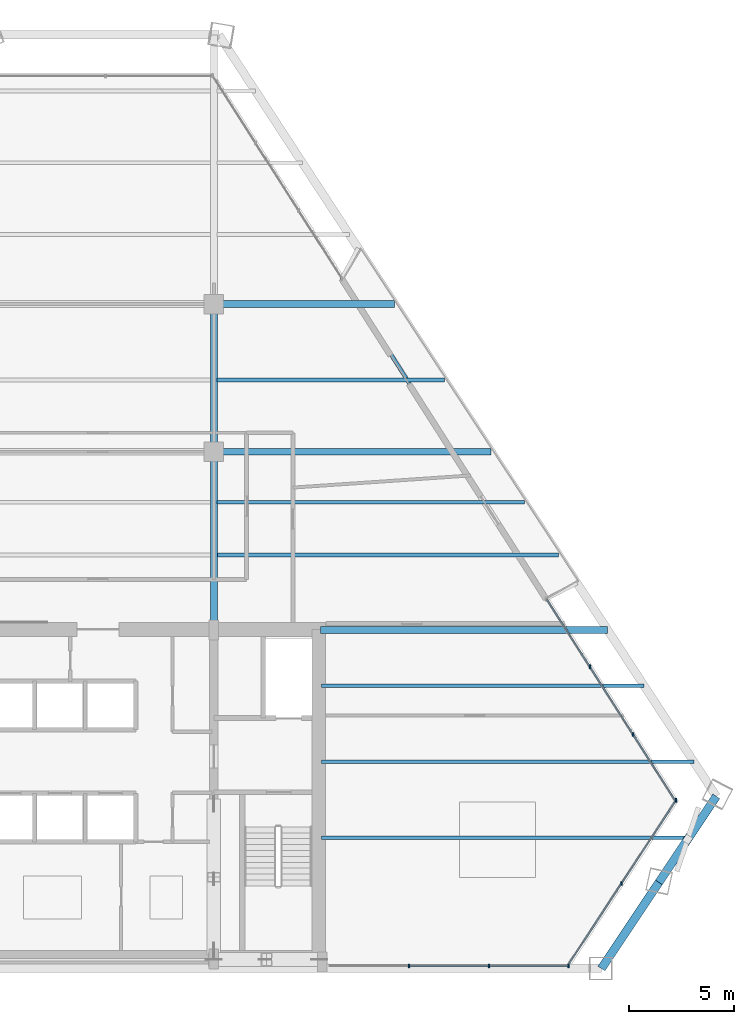
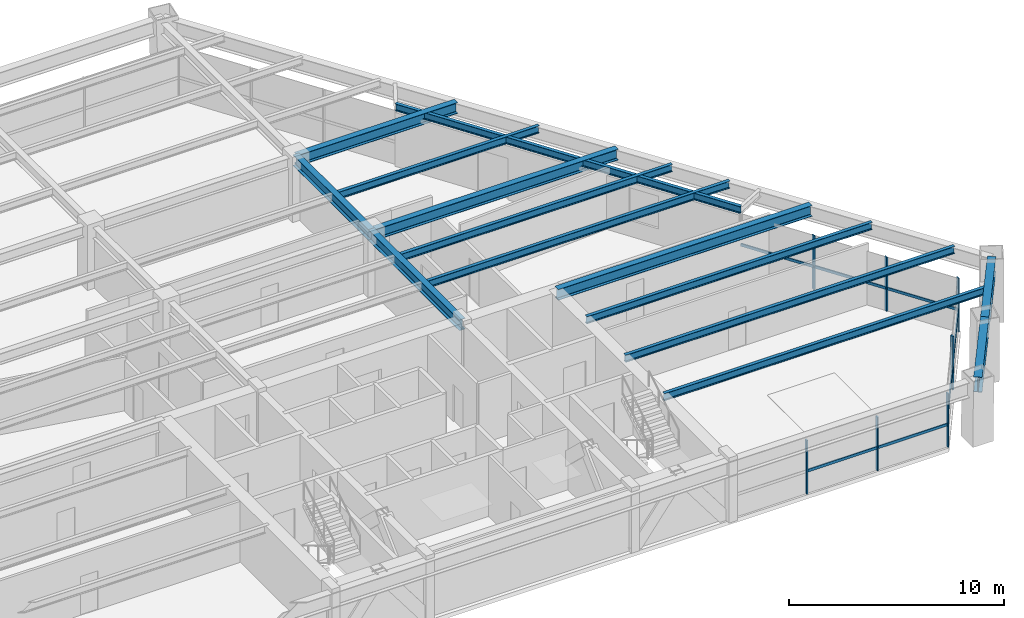
# One storey, part 6 of 14: 14 beams, 14 members, 3 elements without a shape of their own.
"""IFC4 building model written with IfcOpenShell, lengths in metres."""

import ifcopenshell
import ifcopenshell.guid

model = None  # the IFC model being written
_history = None  # IfcOwnerHistory: only IFC2X3 demands one
_inside = {}  # id of a spatial element -> (the spatial element, [elements in it])
_under = {}  # id of a project, library or spatial element -> (it, [spatial elements below it])
_declared = {}  # id of a project -> (the project, [libraries it declares])
_typed = {}  # id of a type object -> (the type object, [elements of that type])
_made_of = {}  # id of a material, layer set ... -> (it, [elements and type objects made of it])


def new_model(schema):
    """Start an empty IFC model of exactly this schema.

    Asked for "IFC4X3", IfcOpenShell would pick the latest addendum, in which some entities
    have other attributes; the version numbers below select the first issue.
    IFC2X3 requires an IfcOwnerHistory on every rooted entity: one is made here for all.
    """
    global model, _history
    if schema == "IFC4X3":
        model = ifcopenshell.file(schema_version=(4, 3, 0, 0))
    else:
        model = ifcopenshell.file(schema=schema)
    _inside.clear()
    _under.clear()
    _declared.clear()
    _typed.clear()
    _made_of.clear()
    _history = None
    if model.schema == "IFC2X3":
        org = make("IfcOrganization", Name="unknown")
        user = make(
            "IfcPersonAndOrganization",
            ThePerson=make("IfcPerson", FamilyName="unknown"),
            TheOrganization=org,
        )
        app = make(
            "IfcApplication",
            ApplicationDeveloper=org,
            Version="unknown",
            ApplicationFullName="unknown",
            ApplicationIdentifier="unknown",
        )
        _history = make(
            "IfcOwnerHistory",
            OwningUser=user,
            OwningApplication=app,
            ChangeAction="ADDED",
            CreationDate=0,
        )
    return model


def make(cls, **values):
    """One entity of the class cls with the attributes given. An attribute that is None is left unset."""
    return model.create_entity(
        cls, **{name: value for name, value in values.items() if value is not None}
    )


def rooted(cls, **values):
    """An entity with a GlobalId (a new one), such as an element, a storey or a relation."""
    return make(cls, GlobalId=ifcopenshell.guid.new(), OwnerHistory=_history, **values)


def si_unit(unit_type, name, prefix=None):
    """IfcSIUnit, for example si_unit("LENGTHUNIT", "METRE", prefix="MILLI")."""
    return make("IfcSIUnit", UnitType=unit_type, Prefix=prefix, Name=name)


def assignment(units):
    """IfcUnitAssignment: the units of a project."""
    return None if units is None else make("IfcUnitAssignment", Units=units)


def point(xyz):
    """IfcCartesianPoint."""
    return None if xyz is None else make("IfcCartesianPoint", Coordinates=xyz)


def direction(xyz):
    """IfcDirection."""
    return None if xyz is None else make("IfcDirection", DirectionRatios=xyz)


def frame(location, z_axis=None, x_axis=None):
    """IfcAxis2Placement3D, a coordinate frame: its origin and axes. An axis left out is left unset."""
    return make(
        "IfcAxis2Placement3D",
        Location=point(location),
        Axis=direction(z_axis),
        RefDirection=direction(x_axis),
    )


def frame_2d(location, x_axis=None):
    """IfcAxis2Placement2D, a coordinate frame in the plane: its origin and x axis."""
    return make(
        "IfcAxis2Placement2D", Location=point(location), RefDirection=direction(x_axis)
    )


def origin():
    """The frame at (0, 0, 0) with its axes left unset."""
    return frame((0.0, 0.0, 0.0))


def origin_2d():
    """The frame at (0, 0) in the plane with its x axis left unset."""
    return frame_2d((0.0, 0.0))


def place(relative_to, where):
    """IfcLocalPlacement: puts the frame where relative to a parent placement (None: the world)."""
    return make(
        "IfcLocalPlacement", PlacementRelTo=relative_to, RelativePlacement=where
    )


def context(
    kind, dimensions, precision=None, world=None, true_north=None, identifier=None
):
    """IfcGeometricRepresentationContext, for example the 3D "Model" context."""
    return make(
        "IfcGeometricRepresentationContext",
        ContextIdentifier=identifier,
        ContextType=kind,
        CoordinateSpaceDimension=dimensions,
        Precision=precision,
        WorldCoordinateSystem=world,
        TrueNorth=true_north,
    )


def subcontext(parent, identifier, kind, view, scale=None):
    """IfcGeometricRepresentationSubContext, for example "Body" below "Model"."""
    return make(
        "IfcGeometricRepresentationSubContext",
        ContextIdentifier=identifier,
        ContextType=kind,
        ParentContext=parent,
        TargetScale=scale,
        TargetView=view,
    )


def project(units=None, contexts=None):
    """IfcProject with its units and contexts."""
    return rooted(
        "IfcProject",
        Name="project",
        RepresentationContexts=contexts,
        UnitsInContext=assignment(units),
    )


def spatial(cls, under=None, at=None, **own):
    """A site, building, storey or space (cls), placed at a placement, below another one or the project."""
    s = rooted(cls, ObjectPlacement=at, **own)
    if under is not None:
        _under.setdefault(under.id(), (under, []))[1].append(s)
    return s


def profile(cls, at=None, kind="AREA", **sizes):
    """A parametric profile (cls). Its sizes go by their IFC names, for example OverallWidth=200.0."""
    return make(cls, ProfileType=kind, Position=at, **sizes)


def rectangle(**sizes):
    """IfcRectangleProfileDef."""
    return profile("IfcRectangleProfileDef", **sizes)


def i_section(**sizes):
    """IfcIShapeProfileDef."""
    return profile("IfcIShapeProfileDef", **sizes)


def extrude(swept, where, along, depth):
    """IfcExtrudedAreaSolid: the profile swept, set in the frame where, extruded along a direction by depth."""
    return make(
        "IfcExtrudedAreaSolid",
        SweptArea=swept,
        Position=where,
        ExtrudedDirection=direction(along),
        Depth=depth,
    )


def shape(context_of_items, identifier, shape_type, items):
    """IfcShapeRepresentation: the items that make up one representation, for example the "Body"."""
    return make(
        "IfcShapeRepresentation",
        ContextOfItems=context_of_items,
        RepresentationIdentifier=identifier,
        RepresentationType=shape_type,
        Items=items,
    )


def source(mapping_origin, context_of_items, identifier, shape_type, items):
    """IfcRepresentationMap: a shape defined once, which mapped items show again and again."""
    return make(
        "IfcRepresentationMap",
        MappingOrigin=mapping_origin,
        MappedRepresentation=shape(context_of_items, identifier, shape_type, items),
    )


def transform(
    local_origin,
    x_axis=None,
    y_axis=None,
    z_axis=None,
    scale=None,
    scale2=None,
    scale3=None,
    uniform=True,
):
    """IfcCartesianTransformationOperator3D, or its non-uniform kind. x_axis, y_axis, z_axis: its Axis1, 2, 3."""
    if uniform:
        return make(
            "IfcCartesianTransformationOperator3D",
            Axis1=direction(x_axis),
            Axis2=direction(y_axis),
            LocalOrigin=point(local_origin),
            Scale=scale,
            Axis3=direction(z_axis),
        )
    return make(
        "IfcCartesianTransformationOperator3DnonUniform",
        Axis1=direction(x_axis),
        Axis2=direction(y_axis),
        LocalOrigin=point(local_origin),
        Scale=scale,
        Axis3=direction(z_axis),
        Scale2=scale2,
        Scale3=scale3,
    )


def mapped(mapping_source, mapping_target):
    """IfcMappedItem: shows the shape of a source again, moved by a transform."""
    return make(
        "IfcMappedItem", MappingSource=mapping_source, MappingTarget=mapping_target
    )


def material(Name=None, Category=None):
    """IfcMaterial."""
    return make("IfcMaterial", Name=Name, Category=Category)


def material_profile(
    of_material, cross_section, Name=None, Category=None, Priority=None
):
    """IfcMaterialProfile: a cross section and its material."""
    return make(
        "IfcMaterialProfile",
        Name=Name,
        Material=of_material,
        Profile=cross_section,
        Priority=Priority,
        Category=Category,
    )


def profile_set(profiles, Name=None, composite=None):
    """IfcMaterialProfileSet."""
    return make(
        "IfcMaterialProfileSet",
        Name=Name,
        MaterialProfiles=profiles,
        CompositeProfile=composite,
    )


def made_of(thing, what):
    """Note that an element or type object is made of a material, layer set ...; save() writes the relation."""
    if what is not None:
        _made_of.setdefault(what.id(), (what, []))[1].append(thing)
    return thing


def type_object(cls, material=None, **own):
    """A type object (cls), such as IfcWallType, which elements share."""
    return made_of(rooted(cls, **own), material)


def type_shapes(of_type, sources):
    """Give a type object the sources (RepresentationMaps) that its elements show as mapped items."""
    of_type.RepresentationMaps = sources


def element(
    cls,
    number,
    at=None,
    inside=None,
    cuts=None,
    type_object=None,
    material=None,
    context=None,
    identifier="Body",
    shape_type=None,
    held_by="IfcProductDefinitionShape",
    body=None,
    shapes=None,
    **own,
):
    """One element of the class cls, such as IfcWall. Its Tag is "e" and its number.

    at: its placement. inside: the storey or other place that contains it. cuts: it is an
    opening in that element (IfcRelVoidsElement). A single representation is given by context,
    identifier, shape_type and body (its items); several are given by shapes. held_by: the class
    of the entity that holds the representations. save() writes the other relations.
    """
    e = rooted(cls, Tag="e%d" % number, ObjectPlacement=at, **own)
    if body is not None:
        shapes = [shape(context, identifier, shape_type, body)]
    if shapes is not None:
        e.Representation = make(held_by, Representations=shapes)
    if inside is not None:
        _inside.setdefault(inside.id(), (inside, []))[1].append(e)
    if cuts is not None:
        rooted(
            "IfcRelVoidsElement", RelatingBuildingElement=cuts, RelatedOpeningElement=e
        )
    if type_object is not None:
        _typed.setdefault(type_object.id(), (type_object, []))[1].append(e)
    return made_of(e, material)


def aggregate(whole, parts):
    """IfcRelAggregates: a whole, such as a stair, and the parts it consists of."""
    return rooted("IfcRelAggregates", RelatingObject=whole, RelatedObjects=parts)


def save(model, path):
    """Write the relations noted so far, then the file.

    IfcRelAggregates (storeys below a building ...), IfcRelContainedInSpatialStructure (elements
    in a storey), IfcRelDefinesByType, IfcRelAssociatesMaterial and IfcRelDeclares: one each for
    every whole, place, type object, material and project.
    """
    for whole, parts in _under.values():
        aggregate(whole, parts)
    for where, things in _inside.values():
        rooted(
            "IfcRelContainedInSpatialStructure",
            RelatedElements=things,
            RelatingStructure=where,
        )
    for kind, things in _typed.values():
        rooted("IfcRelDefinesByType", RelatedObjects=things, RelatingType=kind)
    for what, things in _made_of.values():
        rooted("IfcRelAssociatesMaterial", RelatedObjects=things, RelatingMaterial=what)
    for by, libraries in _declared.values():
        rooted("IfcRelDeclares", RelatingContext=by, RelatedDefinitions=libraries)
    model.write(path)


model = new_model("IFC4")

# Units and contexts
model_context = context("Model", 3, precision=1e-05, world=origin(), true_north=direction((0.0, 1.0)))
body_context = subcontext(model_context, "Body", "Model", "MODEL_VIEW")
ifc_project = project(units=[si_unit("LENGTHUNIT", "METRE"), si_unit("AREAUNIT", "SQUARE_METRE"), si_unit("VOLUMEUNIT", "CUBIC_METRE"), si_unit("PLANEANGLEUNIT", "RADIAN"), si_unit("MASSUNIT", "GRAM", prefix="KILO")], contexts=[model_context])

# Site, building, storey
site_placement = place(None, origin())
site = spatial("IfcSite", under=ifc_project, at=site_placement, CompositionType="ELEMENT")
building_placement = place(site_placement, origin())
building = spatial("IfcBuilding", under=site, at=building_placement, Name="Varnakhor Terracotta Tower", CompositionType="ELEMENT")
storey_placement = place(building_placement, frame((0.0, 0.0, 133.0)))
storey = spatial("IfcBuildingStorey", under=building, at=storey_placement, Name="L33", CompositionType="ELEMENT", Elevation=133.0)

# Beams
ifc_material_1 = material(Name="Steel S355", Category="steel")
ifc_material_profile_1 = material_profile(ifc_material_1, i_section(OverallWidth=0.324951171875, OverallDepth=0.615966796875, WebThickness=0.013916015625, FlangeThickness=0.02197265625, FilletRadius=0.01806640625, at=origin_2d()), Name="W24X117")
ifc_profile_set_1 = profile_set([ifc_material_profile_1], Name="Steel S355")
beam_type_1 = type_object("IfcBeamType", Name="BM-W24X117", PredefinedType="BEAM", material=ifc_profile_set_1)
shared_shape_1 = source(origin(), body_context, "Body", "SweptSolid", [
    extrude(i_section(OverallWidth=0.324951171875, OverallDepth=0.615966796875, WebThickness=0.013916015625, FlangeThickness=0.02197265625, FilletRadius=0.01806640625, at=origin_2d()), origin(), (0.0, 0.0, 1.0), 8.449951171875),
])
type_shapes(beam_type_1, [shared_shape_1])
beam_1_placement = place(storey_placement, frame((5.5, 16.050048828125, 3.162109375), z_axis=(0.0, 1.0, 0.0), x_axis=(-1.0, 0.0, 0.0)))
element("IfcBeam", 1, at=beam_1_placement, inside=storey, type_object=beam_type_1, Name="L33 Primary Girder NS1-E", PredefinedType="BEAM", context=body_context, shape_type="MappedRepresentation", body=[
    mapped(shared_shape_1, transform((0.0, 0.0, 0.0), scale=1.0)),
])
shared_shape_2 = source(origin(), body_context, "Body", "SweptSolid", [
    extrude(i_section(OverallWidth=0.324951171875, OverallDepth=0.615966796875, WebThickness=0.013916015625, FlangeThickness=0.02197265625, FilletRadius=0.01806640625, at=origin_2d()), origin(), (0.0, 0.0, 1.0), 7.0),
])
beam_2_placement = place(storey_placement, frame((5.5, 24.5, 3.162109375), z_axis=(0.0, 1.0, 0.0), x_axis=(-1.0, 0.0, 0.0)))
element("IfcBeam", 2, at=beam_2_placement, inside=storey, type_object=beam_type_1, Name="L33 Primary Girder NS2-E", PredefinedType="BEAM", context=body_context, shape_type="MappedRepresentation", body=[
    mapped(shared_shape_2, transform((0.0, 0.0, 0.0), scale=1.0)),
])
ifc_material_profile_2 = material_profile(ifc_material_1, i_section(OverallWidth=0.39990234375, OverallDepth=0.85498046875, WebThickness=0.01806640625, FlangeThickness=0.029052734375, FilletRadius=0.01806640625, at=origin_2d()), Name="W33X201")
ifc_profile_set_2 = profile_set([ifc_material_profile_2], Name="Steel S355")
beam_type_2 = type_object("IfcBeamType", Name="BM-W33X201", PredefinedType="BEAM", material=ifc_profile_set_2)
shared_shape_3 = source(origin(), body_context, "Body", "SweptSolid", [
    extrude(i_section(OverallWidth=0.39990234375, OverallDepth=0.85498046875, WebThickness=0.01806640625, FlangeThickness=0.029052734375, FilletRadius=0.01806640625, at=origin_2d()), origin(), (0.0, 0.0, 1.0), 4.906005859375),
])
beam_3_placement = place(storey_placement, frame((23.879638671875, 0.0, 3.04248046875), z_axis=(0.555515293538, 0.831506319065, 0.0), x_axis=(-0.831506319065, 0.555515293538, 0.0)))
element("IfcBeam", 3, at=beam_3_placement, inside=storey, type_object=beam_type_2, Name="L33 Perimeter Spandrel 2", PredefinedType="BEAM", context=body_context, shape_type="MappedRepresentation", body=[
    mapped(shared_shape_3, transform((0.0, 0.0, 0.0), scale=1.0)),
])
shared_shape_4 = source(origin(), body_context, "Body", "SweptSolid", [
    extrude(i_section(OverallWidth=0.39990234375, OverallDepth=0.85498046875, WebThickness=0.01806640625, FlangeThickness=0.029052734375, FilletRadius=0.01806640625, at=origin_2d()), origin(), (0.0, 0.0, 1.0), 4.90625),
])
beam_4_placement = place(storey_placement, frame((26.60498046875, 4.079345703125, 3.04248046875), z_axis=(0.555492307575, 0.831521675139, 0.0), x_axis=(-0.831521675139, 0.555492307575, 0.0)))
element("IfcBeam", 4, at=beam_4_placement, inside=storey, type_object=beam_type_2, Name="L33 Perimeter Spandrel 3", PredefinedType="BEAM", context=body_context, shape_type="MappedRepresentation", body=[
    mapped(shared_shape_4, transform((0.0, 0.0, 0.0), scale=1.0)),
])
ifc_material_profile_3 = material_profile(ifc_material_1, i_section(OverallWidth=0.179931640625, OverallDepth=0.39990234375, WebThickness=0.008544921875, FlangeThickness=0.013427734375, FilletRadius=0.01806640625, at=origin_2d()), Name="IPE400")
ifc_profile_set_3 = profile_set([ifc_material_profile_3], Name="Steel S355")
beam_type_3 = type_object("IfcBeamType", Name="JST-IPE400", PredefinedType="JOIST", material=ifc_profile_set_3)
shared_shape_5 = source(origin(), body_context, "Body", "SweptSolid", [
    extrude(i_section(OverallWidth=0.179931640625, OverallDepth=0.39990234375, WebThickness=0.008544921875, FlangeThickness=0.013427734375, FilletRadius=0.01806640625, at=origin_2d()), origin(), (0.0, 0.0, 1.0), 18.070068359375),
])
beam_5_placement = place(storey_placement, frame((21.289794921875, 17.520263671875, 3.27001953125), z_axis=(-0.537658563867, 0.843162658507, 0.0), x_axis=(-0.843162658507, -0.537658563867, 0.0)))
element("IfcBeam", 5, at=beam_5_placement, inside=storey, type_object=beam_type_3, Name="L33 Loggia Edge Beam 1", PredefinedType="JOIST", context=body_context, shape_type="MappedRepresentation", body=[
    mapped(shared_shape_5, transform((0.0, 0.0, 0.0), scale=1.0)),
])
shared_shape_6 = source(origin(), body_context, "Body", "SweptSolid", [
    extrude(i_section(OverallWidth=0.324951171875, OverallDepth=0.615966796875, WebThickness=0.013916015625, FlangeThickness=0.02197265625, FilletRadius=0.01806640625, at=origin_2d()), origin(), (0.0, 0.0, 1.0), 13.623779296875),
])
beam_6_placement = place(storey_placement, frame((10.550048828125, 16.050048828125, 3.162109375), z_axis=(1.0, 0.0, 0.0), x_axis=(0.0, 1.0, 0.0)))
element("IfcBeam", 6, at=beam_6_placement, inside=storey, type_object=beam_type_1, Name="L33 Wing Girder E", PredefinedType="BEAM", context=body_context, shape_type="MappedRepresentation", body=[
    mapped(shared_shape_6, transform((0.0, 0.0, 0.0), scale=1.0)),
])
shared_shape_7 = source(origin(), body_context, "Body", "SweptSolid", [
    extrude(i_section(OverallWidth=0.324951171875, OverallDepth=0.615966796875, WebThickness=0.013916015625, FlangeThickness=0.02197265625, FilletRadius=0.01806640625, at=origin_2d()), origin(), (0.0, 0.0, 1.0), 13.15185546875),
])
beam_7_placement = place(storey_placement, frame((5.5, 24.5, 3.162109375), z_axis=(1.0, 0.0, 0.0), x_axis=(0.0, 1.0, 0.0)))
element("IfcBeam", 7, at=beam_7_placement, inside=storey, type_object=beam_type_1, Name="L33 Primary Girder EW2-3", PredefinedType="BEAM", context=body_context, shape_type="MappedRepresentation", body=[
    mapped(shared_shape_7, transform((0.0, 0.0, 0.0), scale=1.0)),
])
shared_shape_8 = source(origin(), body_context, "Body", "SweptSolid", [
    extrude(i_section(OverallWidth=0.324951171875, OverallDepth=0.615966796875, WebThickness=0.013916015625, FlangeThickness=0.02197265625, FilletRadius=0.01806640625, at=origin_2d()), origin(), (0.0, 0.0, 1.0), 8.57763671875),
])
beam_8_placement = place(storey_placement, frame((5.5, 31.5, 3.162109375), z_axis=(1.0, 0.0, 0.0), x_axis=(0.0, 1.0, 0.0)))
element("IfcBeam", 8, at=beam_8_placement, inside=storey, type_object=beam_type_1, Name="L33 Primary Girder EW3-3", PredefinedType="BEAM", context=body_context, shape_type="MappedRepresentation", body=[
    mapped(shared_shape_8, transform((0.0, 0.0, 0.0), scale=1.0)),
])
ifc_material_profile_4 = material_profile(ifc_material_1, i_section(OverallWidth=0.179931640625, OverallDepth=0.4130859375, WebThickness=0.009765625, FlangeThickness=0.01611328125, FilletRadius=0.01806640625, at=origin_2d()), Name="W16X50")
ifc_profile_set_4 = profile_set([ifc_material_profile_4], Name="Steel S355")
beam_type_4 = type_object("IfcBeamType", Name="JST-W16X50", PredefinedType="JOIST", material=ifc_profile_set_4)
shared_shape_9 = source(origin(), body_context, "Body", "SweptSolid", [
    extrude(i_section(OverallWidth=0.179931640625, OverallDepth=0.4130859375, WebThickness=0.009765625, FlangeThickness=0.01611328125, FilletRadius=0.01806640625, at=origin_2d()), origin(), (0.0, 0.0, 1.0), 17.421630859375),
])
beam_9_placement = place(storey_placement, frame((10.60009765625, 6.199951171875, 3.263427734375), z_axis=(1.0, 0.0, 0.0), x_axis=(0.0, 1.0, 0.0)))
element("IfcBeam", 9, at=beam_9_placement, inside=storey, type_object=beam_type_4, Name="L33 Floor Joist E1", PredefinedType="JOIST", context=body_context, shape_type="MappedRepresentation", body=[
    mapped(shared_shape_9, transform((0.0, 0.0, 0.0), scale=1.0)),
])
shared_shape_10 = source(origin(), body_context, "Body", "SweptSolid", [
    extrude(i_section(OverallWidth=0.179931640625, OverallDepth=0.4130859375, WebThickness=0.009765625, FlangeThickness=0.01611328125, FilletRadius=0.01806640625, at=origin_2d()), origin(), (0.0, 0.0, 1.0), 17.657958984375),
])
beam_10_placement = place(storey_placement, frame((10.60009765625, 9.800048828125, 3.263427734375), z_axis=(1.0, 0.0, 0.0), x_axis=(0.0, 1.0, 0.0)))
element("IfcBeam", 10, at=beam_10_placement, inside=storey, type_object=beam_type_4, Name="L33 Floor Joist E2", PredefinedType="JOIST", context=body_context, shape_type="MappedRepresentation", body=[
    mapped(shared_shape_10, transform((0.0, 0.0, 0.0), scale=1.0)),
])
shared_shape_11 = source(origin(), body_context, "Body", "SweptSolid", [
    extrude(i_section(OverallWidth=0.179931640625, OverallDepth=0.4130859375, WebThickness=0.009765625, FlangeThickness=0.01611328125, FilletRadius=0.01806640625, at=origin_2d()), origin(), (0.0, 0.0, 1.0), 15.305419921875),
])
beam_11_placement = place(storey_placement, frame((10.60009765625, 13.39990234375, 3.263427734375), z_axis=(1.0, 0.0, 0.0), x_axis=(0.0, 1.0, 0.0)))
element("IfcBeam", 11, at=beam_11_placement, inside=storey, type_object=beam_type_4, Name="L33 Floor Joist E3", PredefinedType="JOIST", context=body_context, shape_type="MappedRepresentation", body=[
    mapped(shared_shape_11, transform((0.0, 0.0, 0.0), scale=1.0)),
])
shared_shape_12 = source(origin(), body_context, "Body", "SweptSolid", [
    extrude(i_section(OverallWidth=0.179931640625, OverallDepth=0.4130859375, WebThickness=0.009765625, FlangeThickness=0.01611328125, FilletRadius=0.01806640625, at=origin_2d()), origin(), (0.0, 0.0, 1.0), 16.195556640625),
])
beam_12_placement = place(storey_placement, frame((5.658447265625, 19.60009765625, 3.263427734375), z_axis=(1.0, 0.0, 0.0), x_axis=(0.0, 1.0, 0.0)))
element("IfcBeam", 12, at=beam_12_placement, inside=storey, type_object=beam_type_4, Name="L33 Composite Floor Joist 4-3", PredefinedType="JOIST", context=body_context, shape_type="MappedRepresentation", body=[
    mapped(shared_shape_12, transform((0.0, 0.0, 0.0), scale=1.0)),
])
shared_shape_13 = source(origin(), body_context, "Body", "SweptSolid", [
    extrude(i_section(OverallWidth=0.179931640625, OverallDepth=0.4130859375, WebThickness=0.009765625, FlangeThickness=0.01611328125, FilletRadius=0.01806640625, at=origin_2d()), origin(), (0.0, 0.0, 1.0), 14.561767578125),
])
beam_13_placement = place(storey_placement, frame((5.658447265625, 22.10009765625, 3.263427734375), z_axis=(1.0, 0.0, 0.0), x_axis=(0.0, 1.0, 0.0)))
element("IfcBeam", 13, at=beam_13_placement, inside=storey, type_object=beam_type_4, Name="L33 Composite Floor Joist 5-3", PredefinedType="JOIST", context=body_context, shape_type="MappedRepresentation", body=[
    mapped(shared_shape_13, transform((0.0, 0.0, 0.0), scale=1.0)),
])
shared_shape_14 = source(origin(), body_context, "Body", "SweptSolid", [
    extrude(i_section(OverallWidth=0.179931640625, OverallDepth=0.4130859375, WebThickness=0.009765625, FlangeThickness=0.01611328125, FilletRadius=0.01806640625, at=origin_2d()), origin(), (0.0, 0.0, 1.0), 10.771728515625),
])
beam_14_placement = place(storey_placement, frame((5.658447265625, 27.89990234375, 3.263427734375), z_axis=(1.0, 0.0, 0.0), x_axis=(0.0, 1.0, 0.0)))
element("IfcBeam", 14, at=beam_14_placement, inside=storey, type_object=beam_type_4, Name="L33 Composite Floor Joist 6-3", PredefinedType="JOIST", context=body_context, shape_type="MappedRepresentation", body=[
    mapped(shared_shape_14, transform((0.0, 0.0, 0.0), scale=1.0)),
])

# Curtain wall, members
ifc_material_2 = material(Name="Anodised Aluminium Curtain Wall System", Category="aluminium")
curtain_wall_type = type_object("IfcCurtainWallType", Name="CW-SYS-MID-OFFICE", PredefinedType="NOTDEFINED", material=ifc_material_2)
curtain_wall_1_placement = place(storey_placement, origin())
curtain_wall_1 = element("IfcCurtainWall", 15, at=curtain_wall_1_placement, inside=storey, type_object=curtain_wall_type, Name="L33 E Facet Curtain Wall 2", PredefinedType="NOTDEFINED")
ifc_material_3 = material(Name="Anodised Aluminium 6063-T6", Category="aluminium")
ifc_material_profile_5 = material_profile(ifc_material_3, rectangle(XDim=0.070068359375, YDim=0.175048828125, at=origin_2d()), Name="ALU MULLION 70x175")
ifc_profile_set_5 = profile_set([ifc_material_profile_5], Name="Anodised Aluminium 6063-T6")
member_type_1 = type_object("IfcMemberType", Name="CWM-03", PredefinedType="MULLION", material=ifc_profile_set_5)
shared_shape_15 = source(origin(), body_context, "Body", "SweptSolid", [
    extrude(rectangle(XDim=0.070068359375, YDim=0.175048828125, at=origin_2d()), origin(), (0.0, 0.0, 1.0), 3.050048828125),
])
member_1_placement = place(storey_placement, frame((23.330078125, 14.301513671875, 0.0), z_axis=(0.0, 0.0, 1.0), x_axis=(1.0, 0.0, 0.0)))
member_1 = element("IfcMember", 16, at=member_1_placement, type_object=member_type_1, Name="L33 E Facet Curtain Wall 2 Mullion 2", PredefinedType="MULLION", context=body_context, shape_type="MappedRepresentation", body=[
    mapped(shared_shape_15, transform((0.0, 0.0, 0.0), scale=1.0)),
])
member_2_placement = place(storey_placement, frame((25.3740234375, 11.098388671875, 0.0), z_axis=(0.0, 0.0, 1.0), x_axis=(1.0, 0.0, 0.0)))
member_2 = element("IfcMember", 17, at=member_2_placement, type_object=member_type_1, Name="L33 E Facet Curtain Wall 2 Mullion 3", PredefinedType="MULLION", context=body_context, shape_type="MappedRepresentation", body=[
    mapped(shared_shape_15, transform((0.0, 0.0, 0.0), scale=1.0)),
])

curtain_wall_2_placement = place(storey_placement, origin())
curtain_wall_2 = element("IfcCurtainWall", 18, at=curtain_wall_2_placement, inside=storey, type_object=curtain_wall_type, Name="L33 Facet Curtain Wall 4", PredefinedType="NOTDEFINED")
member_3_placement = place(storey_placement, frame((27.418701171875, 7.97509765625, 0.0), z_axis=(0.0, 0.0, 1.0), x_axis=(1.0, 0.0, 0.0)))
member_3 = element("IfcMember", 19, at=member_3_placement, type_object=member_type_1, Name="L33 Facet Curtain Wall 4 Mullion 1", PredefinedType="MULLION", context=body_context, shape_type="MappedRepresentation", body=[
    mapped(shared_shape_15, transform((0.0, 0.0, 0.0), scale=1.0)),
])
member_4_placement = place(storey_placement, frame((24.83642578125, 4.032958984375, 0.0), z_axis=(0.0, 0.0, 1.0), x_axis=(1.0, 0.0, 0.0)))
member_4 = element("IfcMember", 20, at=member_4_placement, type_object=member_type_1, Name="L33 Facet Curtain Wall 4 Mullion 2", PredefinedType="MULLION", context=body_context, shape_type="MappedRepresentation", body=[
    mapped(shared_shape_15, transform((0.0, 0.0, 0.0), scale=1.0)),
])

curtain_wall_3_placement = place(storey_placement, origin())
curtain_wall_3 = element("IfcCurtainWall", 21, at=curtain_wall_3_placement, inside=storey, type_object=curtain_wall_type, Name="L33 South Wing Curtain Wall SSE", PredefinedType="NOTDEFINED")
member_5_placement = place(storey_placement, frame((22.327880859375, 0.1201171875, 0.0), z_axis=(0.0, 0.0, 1.0), x_axis=(1.0, 0.0, 0.0)))
member_5 = element("IfcMember", 22, at=member_5_placement, type_object=member_type_1, Name="L33 South Wing Curtain Wall SSE Mullion 1", PredefinedType="MULLION", context=body_context, shape_type="MappedRepresentation", body=[
    mapped(shared_shape_15, transform((0.0, 0.0, 0.0), scale=1.0)),
])
member_6_placement = place(storey_placement, frame((18.5419921875, 0.1201171875, 0.0), z_axis=(0.0, 0.0, 1.0), x_axis=(1.0, 0.0, 0.0)))
member_6 = element("IfcMember", 23, at=member_6_placement, type_object=member_type_1, Name="L33 South Wing Curtain Wall SSE Mullion 2", PredefinedType="MULLION", context=body_context, shape_type="MappedRepresentation", body=[
    mapped(shared_shape_15, transform((0.0, 0.0, 0.0), scale=1.0)),
])
member_7_placement = place(storey_placement, frame((14.756103515625, 0.1201171875, 0.0), z_axis=(0.0, 0.0, 1.0), x_axis=(1.0, 0.0, 0.0)))
member_7 = element("IfcMember", 24, at=member_7_placement, type_object=member_type_1, Name="L33 South Wing Curtain Wall SSE Mullion 3", PredefinedType="MULLION", context=body_context, shape_type="MappedRepresentation", body=[
    mapped(shared_shape_15, transform((0.0, 0.0, 0.0), scale=1.0)),
])

# Member
ifc_material_profile_6 = material_profile(ifc_material_3, rectangle(XDim=0.070068359375, YDim=0.155029296875, at=origin_2d()), Name="ALU TRANSOM 70x155")
ifc_profile_set_6 = profile_set([ifc_material_profile_6], Name="Anodised Aluminium 6063-T6")
member_type_2 = type_object("IfcMemberType", Name="CWT-03", PredefinedType="USERDEFINED", material=ifc_profile_set_6)
shared_shape_16 = source(origin(), body_context, "Body", "SweptSolid", [
    extrude(rectangle(XDim=0.070068359375, YDim=0.155029296875, at=origin_2d()), origin(), (0.0, 0.0, 1.0), 3.800048828125),
])
member_8_placement = place(storey_placement, frame((25.3740234375, 11.098388671875, 1.281005859375), z_axis=(0.537939296051, -0.842983578585, 0.0), x_axis=(0.842983578585, 0.537939296051, 0.0)))
member_8 = element("IfcMember", 25, at=member_8_placement, type_object=member_type_2, Name="L33 E Facet Curtain Wall 2 Transom 3", ObjectType="TRANSOM", PredefinedType="USERDEFINED", context=body_context, shape_type="MappedRepresentation", body=[
    mapped(shared_shape_16, transform((0.0, 0.0, 0.0), scale=1.0)),
])

shared_shape_17 = source(origin(), body_context, "Body", "SweptSolid", [
    extrude(rectangle(XDim=0.070068359375, YDim=0.155029296875, at=origin_2d()), origin(), (0.0, 0.0, 1.0), 3.7998046875),
])
member_9_placement = place(storey_placement, frame((23.330078125, 14.301513671875, 1.281005859375), z_axis=(0.537922773564, -0.842994121973, 0.0), x_axis=(0.842994121973, 0.537922773564, 0.0)))
member_9 = element("IfcMember", 26, at=member_9_placement, type_object=member_type_2, Name="L33 E Facet Curtain Wall 2 Transom 2", ObjectType="TRANSOM", PredefinedType="USERDEFINED", context=body_context, shape_type="MappedRepresentation", body=[
    mapped(shared_shape_17, transform((0.0, 0.0, 0.0), scale=1.0)),
])

shared_shape_18 = source(origin(), body_context, "Body", "SweptSolid", [
    extrude(rectangle(XDim=0.070068359375, YDim=0.155029296875, at=origin_2d()), origin(), (0.0, 0.0, 1.0), 3.799560546875),
])
member_10_placement = place(storey_placement, frame((21.285888671875, 17.50439453125, 1.281005859375), z_axis=(0.537997569675, -0.842946389175, 0.0), x_axis=(0.842946389175, 0.537997569675, 0.0)))
member_10 = element("IfcMember", 27, at=member_10_placement, type_object=member_type_2, Name="L33 E Facet Curtain Wall 2 Transom 1", ObjectType="TRANSOM", PredefinedType="USERDEFINED", context=body_context, shape_type="MappedRepresentation", body=[
    mapped(shared_shape_18, transform((0.0, 0.0, 0.0), scale=1.0)),
])

aggregate(curtain_wall_1, [member_10, member_1, member_9, member_2, member_8])

shared_shape_19 = source(origin(), body_context, "Body", "SweptSolid", [
    extrude(rectangle(XDim=0.070068359375, YDim=0.155029296875, at=origin_2d()), origin(), (0.0, 0.0, 1.0), 4.712646484375),
])
member_11_placement = place(storey_placement, frame((27.418701171875, 7.97509765625, 1.281005859375), z_axis=(-0.547951261507, -0.836510259956, 0.0), x_axis=(0.836510259956, -0.547951261507, 0.0)))
member_11 = element("IfcMember", 28, at=member_11_placement, type_object=member_type_2, Name="L33 Facet Curtain Wall 4 Transom 1", ObjectType="TRANSOM", PredefinedType="USERDEFINED", context=body_context, shape_type="MappedRepresentation", body=[
    mapped(shared_shape_19, transform((0.0, 0.0, 0.0), scale=1.0)),
])

member_12_placement = place(storey_placement, frame((24.83642578125, 4.032958984375, 1.281005859375), z_axis=(-0.547951261507, -0.836510259956, 0.0), x_axis=(0.836510259956, -0.547951261507, 0.0)))
member_12 = element("IfcMember", 29, at=member_12_placement, type_object=member_type_2, Name="L33 Facet Curtain Wall 4 Transom 2", ObjectType="TRANSOM", PredefinedType="USERDEFINED", context=body_context, shape_type="MappedRepresentation", body=[
    mapped(shared_shape_19, transform((0.0, 0.0, 0.0), scale=1.0)),
])

aggregate(curtain_wall_2, [member_3, member_11, member_4, member_12])

shared_shape_20 = source(origin(), body_context, "Body", "SweptSolid", [
    extrude(rectangle(XDim=0.070068359375, YDim=0.155029296875, at=origin_2d()), origin(), (0.0, 0.0, 1.0), 3.785888671875),
])
member_13_placement = place(storey_placement, frame((22.327880859375, 0.1201171875, 1.281005859375), z_axis=(-1.0, 0.0, 0.0), x_axis=(0.0, -1.0, 0.0)))
member_13 = element("IfcMember", 30, at=member_13_placement, type_object=member_type_2, Name="L33 South Wing Curtain Wall SSE Transom 1", ObjectType="TRANSOM", PredefinedType="USERDEFINED", context=body_context, shape_type="MappedRepresentation", body=[
    mapped(shared_shape_20, transform((0.0, 0.0, 0.0), scale=1.0)),
])

member_14_placement = place(storey_placement, frame((18.5419921875, 0.1201171875, 1.281005859375), z_axis=(-1.0, 0.0, 0.0), x_axis=(0.0, -1.0, 0.0)))
member_14 = element("IfcMember", 31, at=member_14_placement, type_object=member_type_2, Name="L33 South Wing Curtain Wall SSE Transom 2", ObjectType="TRANSOM", PredefinedType="USERDEFINED", context=body_context, shape_type="MappedRepresentation", body=[
    mapped(shared_shape_20, transform((0.0, 0.0, 0.0), scale=1.0)),
])

aggregate(curtain_wall_3, [member_5, member_13, member_6, member_14, member_7])

save(model, "model.ifc")
